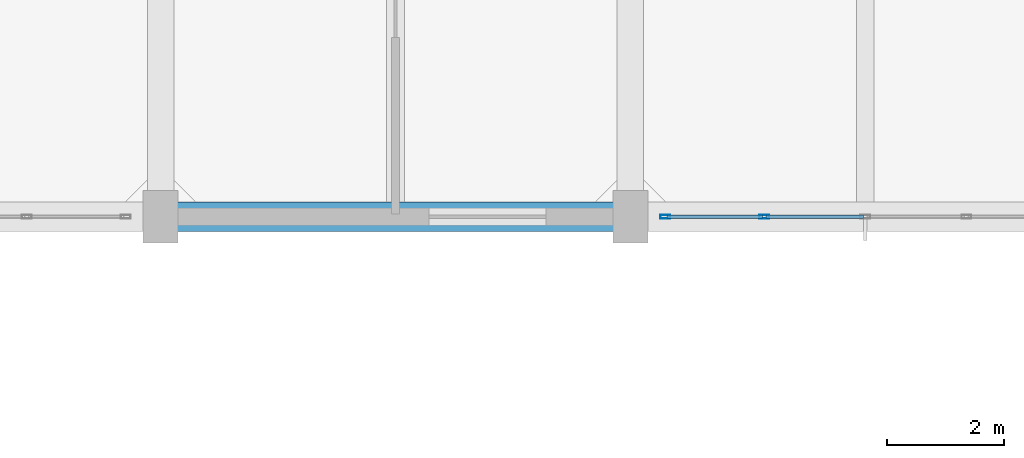
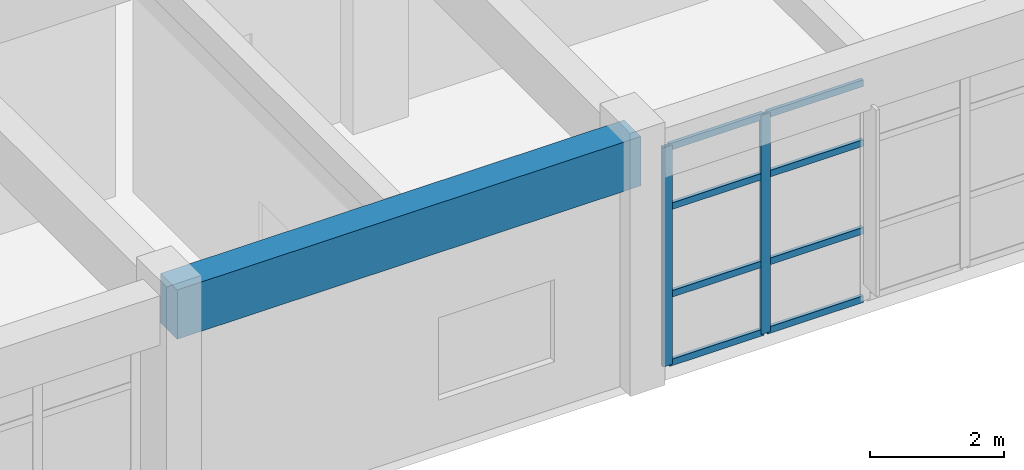
# One storey, part 186 of 248: 10 members, 1 beam, 1 element without a shape of its own.
"""IFC4 building model written with IfcOpenShell, lengths in metres."""

from ifc_helpers import new_model, si_unit, direction, frame, origin, origin_2d, place, context, subcontext, project, spatial, rectangle, hollow_rectangle, extrude, material, layer, layer_set, material_profile, profile_set, type_object, element, aggregate, save


model = new_model("IFC4")

# Units and contexts
model_context = context("Model", 3, precision=1e-05, world=origin(), true_north=direction((0.0, 1.0)))
body_context = subcontext(model_context, "Body", "Model", "MODEL_VIEW")
ifc_project = project(units=[si_unit("LENGTHUNIT", "METRE"), si_unit("AREAUNIT", "SQUARE_METRE"), si_unit("VOLUMEUNIT", "CUBIC_METRE"), si_unit("PLANEANGLEUNIT", "RADIAN"), si_unit("MASSUNIT", "GRAM", prefix="KILO")], contexts=[model_context])

# Site, building, storey
site_placement = place(None, origin())
site = spatial("IfcSite", under=ifc_project, at=site_placement, CompositionType="ELEMENT")
building_placement = place(site_placement, origin())
building = spatial("IfcBuilding", under=site, at=building_placement, Name="Canggui Botanical Conservatory", CompositionType="ELEMENT")
storey_placement = place(building_placement, frame((0.0, 0.0, 5.39990234375)))
storey = spatial("IfcBuildingStorey", under=building, at=storey_placement, Name="L02", CompositionType="ELEMENT", Elevation=5.39990234375)

# Beam
ifc_material_1 = material(Name="Concrete C35", Category="concrete")
ifc_material_profile_1 = material_profile(ifc_material_1, rectangle(XDim=0.5, YDim=0.89990234375, at=origin_2d()), Name="RB 500x900")
ifc_profile_set_1 = profile_set([ifc_material_profile_1], Name="Concrete C35")
beam_type = type_object("IfcBeamType", Name="BM-KL03", PredefinedType="BEAM", material=ifc_profile_set_1)
beam_placement = place(storey_placement, frame((154.0, 26.0, 4.070068359375), z_axis=(1.0, 0.0, 0.0), x_axis=(0.0, 1.0, 0.0)))
element("IfcBeam", 1, at=beam_placement, inside=storey, type_object=beam_type, Name="Frame Girder L02 Y26-4", PredefinedType="BEAM", context=body_context, shape_type="SweptSolid", body=[
    extrude(rectangle(XDim=0.5, YDim=0.89990234375, at=origin_2d()), origin(), (0.0, 0.0, 1.0), 8.0),
])

# Curtain wall, members
ifc_material_2 = material(Name="Thermally Broken Aluminium", Category="aluminium")
ifc_layer = layer(ifc_material_2, 0.1650390625, Name="Thermally Broken Aluminium", Category="aluminium")
ifc_layer_set = layer_set([ifc_layer], Name="Thermally Broken Aluminium")
curtain_wall_type = type_object("IfcCurtainWallType", Name="CW-UNIT-B", PredefinedType="USERDEFINED", material=ifc_layer_set)
curtain_wall_placement = place(storey_placement, origin())
curtain_wall = element("IfcCurtainWall", 2, at=curtain_wall_placement, inside=storey, type_object=curtain_wall_type, Name="Facade Curtain Wall CW-TWR-L02-02", ObjectType="UNITISED CURTAIN WALL", PredefinedType="USERDEFINED")
ifc_material_profile_2 = material_profile(ifc_material_2, hollow_rectangle(XDim=0.06494140625, YDim=0.1650390625, WallThickness=0.00390625, at=origin_2d()), Name="CWM 65x165x4")
ifc_profile_set_2 = profile_set([ifc_material_profile_2], Name="Thermally Broken Aluminium")
member_type_1 = type_object("IfcMemberType", Name="CWM-02", PredefinedType="MULLION", material=ifc_profile_set_2)
member_1_placement = place(storey_placement, frame((164.280029296875, 26.0, 0.0), z_axis=(0.0, 0.0, 1.0), x_axis=(0.0, -1.0, 0.0)))
member_1 = element("IfcMember", 3, at=member_1_placement, type_object=member_type_1, Name="CW-02 mullion 4", PredefinedType="MULLION", context=body_context, shape_type="SweptSolid", body=[
    extrude(hollow_rectangle(XDim=0.06494140625, YDim=0.1650390625, WallThickness=0.00390625, at=origin_2d()), origin(), (0.0, 0.0, 1.0), 4.0),
])
member_2_placement = place(storey_placement, frame((162.592529296875, 26.0, 0.0), z_axis=(0.0, 0.0, 1.0), x_axis=(0.0, -1.0, 0.0)))
member_2 = element("IfcMember", 4, at=member_2_placement, type_object=member_type_1, Name="CW-02 mullion 5", PredefinedType="MULLION", context=body_context, shape_type="SweptSolid", body=[
    extrude(hollow_rectangle(XDim=0.06494140625, YDim=0.1650390625, WallThickness=0.00390625, at=origin_2d()), origin(), (0.0, 0.0, 1.0), 4.0),
])
ifc_material_profile_3 = material_profile(ifc_material_2, hollow_rectangle(XDim=0.06005859375, YDim=0.1201171875, WallThickness=0.00341796875, at=origin_2d()), Name="CWT 60x120x3.5")
ifc_profile_set_3 = profile_set([ifc_material_profile_3], Name="Thermally Broken Aluminium")
member_type_2 = type_object("IfcMemberType", Name="CWT-02", PredefinedType="USERDEFINED", material=ifc_profile_set_3)
member_3_placement = place(storey_placement, frame((165.967529296875, 26.0, 0.030029296875), z_axis=(-1.0, 0.0, 0.0), x_axis=(0.0, -1.0, 0.0)))
member_3 = element("IfcMember", 5, at=member_3_placement, type_object=member_type_2, Name="CW-02 transom 3.1", ObjectType="TRANSOM", PredefinedType="USERDEFINED", context=body_context, shape_type="SweptSolid", body=[
    extrude(hollow_rectangle(XDim=0.06005859375, YDim=0.1201171875, WallThickness=0.00341796875, at=origin_2d()), origin(), (0.0, 0.0, 1.0), 1.655029296875),
])
member_4_placement = place(storey_placement, frame((165.967529296875, 26.0, 1.280029296875), z_axis=(-1.0, 0.0, 0.0), x_axis=(0.0, -1.0, 0.0)))
member_4 = element("IfcMember", 6, at=member_4_placement, type_object=member_type_2, Name="CW-02 transom 3.2", ObjectType="TRANSOM", PredefinedType="USERDEFINED", context=body_context, shape_type="SweptSolid", body=[
    extrude(hollow_rectangle(XDim=0.06005859375, YDim=0.1201171875, WallThickness=0.00341796875, at=origin_2d()), origin(), (0.0, 0.0, 1.0), 1.655029296875),
])
member_5_placement = place(storey_placement, frame((165.967529296875, 26.0, 2.880126953125), z_axis=(-1.0, 0.0, 0.0), x_axis=(0.0, -1.0, 0.0)))
member_5 = element("IfcMember", 7, at=member_5_placement, type_object=member_type_2, Name="CW-02 transom 3.3", ObjectType="TRANSOM", PredefinedType="USERDEFINED", context=body_context, shape_type="SweptSolid", body=[
    extrude(hollow_rectangle(XDim=0.06005859375, YDim=0.1201171875, WallThickness=0.00341796875, at=origin_2d()), origin(), (0.0, 0.0, 1.0), 1.655029296875),
])
member_6_placement = place(storey_placement, frame((165.967529296875, 26.0, 3.97021484375), z_axis=(-1.0, 0.0, 0.0), x_axis=(0.0, -1.0, 0.0)))
member_6 = element("IfcMember", 8, at=member_6_placement, type_object=member_type_2, Name="CW-02 transom 3.4", ObjectType="TRANSOM", PredefinedType="USERDEFINED", context=body_context, shape_type="SweptSolid", body=[
    extrude(hollow_rectangle(XDim=0.06005859375, YDim=0.1201171875, WallThickness=0.00341796875, at=origin_2d()), origin(), (0.0, 0.0, 1.0), 1.655029296875),
])
member_7_placement = place(storey_placement, frame((164.24755859375, 26.0, 0.030029296875), z_axis=(-1.0, 0.0, 0.0), x_axis=(0.0, -1.0, 0.0)))
member_7 = element("IfcMember", 9, at=member_7_placement, type_object=member_type_2, Name="CW-02 transom 4.1", ObjectType="TRANSOM", PredefinedType="USERDEFINED", context=body_context, shape_type="SweptSolid", body=[
    extrude(hollow_rectangle(XDim=0.06005859375, YDim=0.1201171875, WallThickness=0.00341796875, at=origin_2d()), origin(), (0.0, 0.0, 1.0), 1.62255859375),
])
member_8_placement = place(storey_placement, frame((164.24755859375, 26.0, 1.280029296875), z_axis=(-1.0, 0.0, 0.0), x_axis=(0.0, -1.0, 0.0)))
member_8 = element("IfcMember", 10, at=member_8_placement, type_object=member_type_2, Name="CW-02 transom 4.2", ObjectType="TRANSOM", PredefinedType="USERDEFINED", context=body_context, shape_type="SweptSolid", body=[
    extrude(hollow_rectangle(XDim=0.06005859375, YDim=0.1201171875, WallThickness=0.00341796875, at=origin_2d()), origin(), (0.0, 0.0, 1.0), 1.62255859375),
])
member_9_placement = place(storey_placement, frame((164.24755859375, 26.0, 2.880126953125), z_axis=(-1.0, 0.0, 0.0), x_axis=(0.0, -1.0, 0.0)))
member_9 = element("IfcMember", 11, at=member_9_placement, type_object=member_type_2, Name="CW-02 transom 4.3", ObjectType="TRANSOM", PredefinedType="USERDEFINED", context=body_context, shape_type="SweptSolid", body=[
    extrude(hollow_rectangle(XDim=0.06005859375, YDim=0.1201171875, WallThickness=0.00341796875, at=origin_2d()), origin(), (0.0, 0.0, 1.0), 1.62255859375),
])
member_10_placement = place(storey_placement, frame((164.24755859375, 26.0, 3.97021484375), z_axis=(-1.0, 0.0, 0.0), x_axis=(0.0, -1.0, 0.0)))
member_10 = element("IfcMember", 12, at=member_10_placement, type_object=member_type_2, Name="CW-02 transom 4.4", ObjectType="TRANSOM", PredefinedType="USERDEFINED", context=body_context, shape_type="SweptSolid", body=[
    extrude(hollow_rectangle(XDim=0.06005859375, YDim=0.1201171875, WallThickness=0.00341796875, at=origin_2d()), origin(), (0.0, 0.0, 1.0), 1.62255859375),
])
aggregate(curtain_wall, [member_1, member_2, member_3, member_4, member_5, member_6, member_7, member_8, member_9, member_10])

save(model, "model.ifc")
